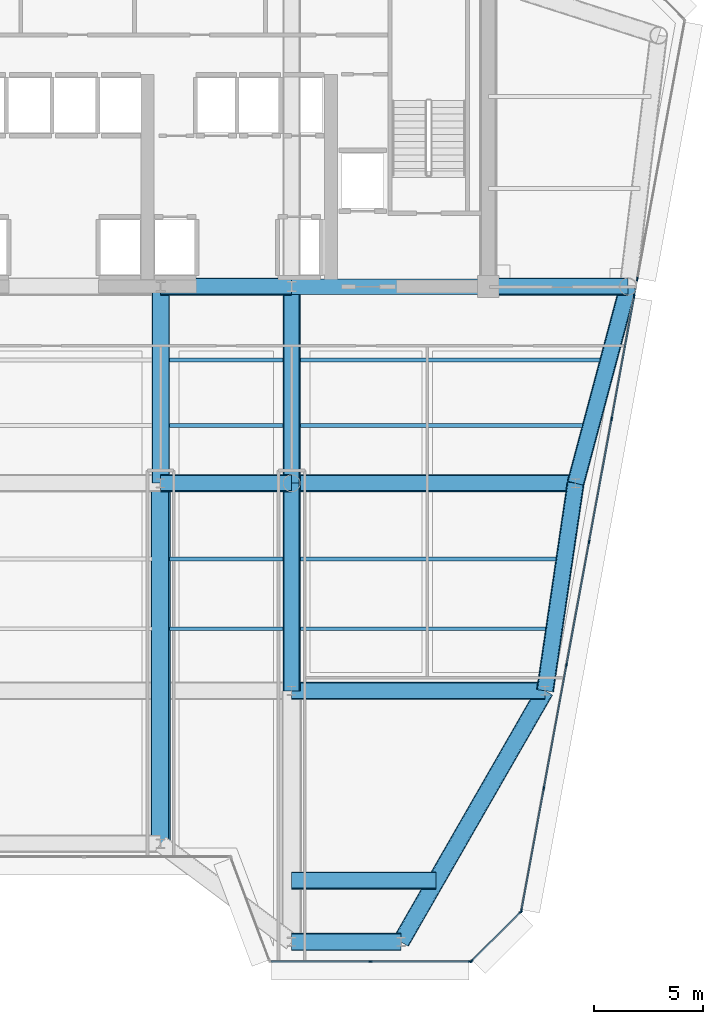
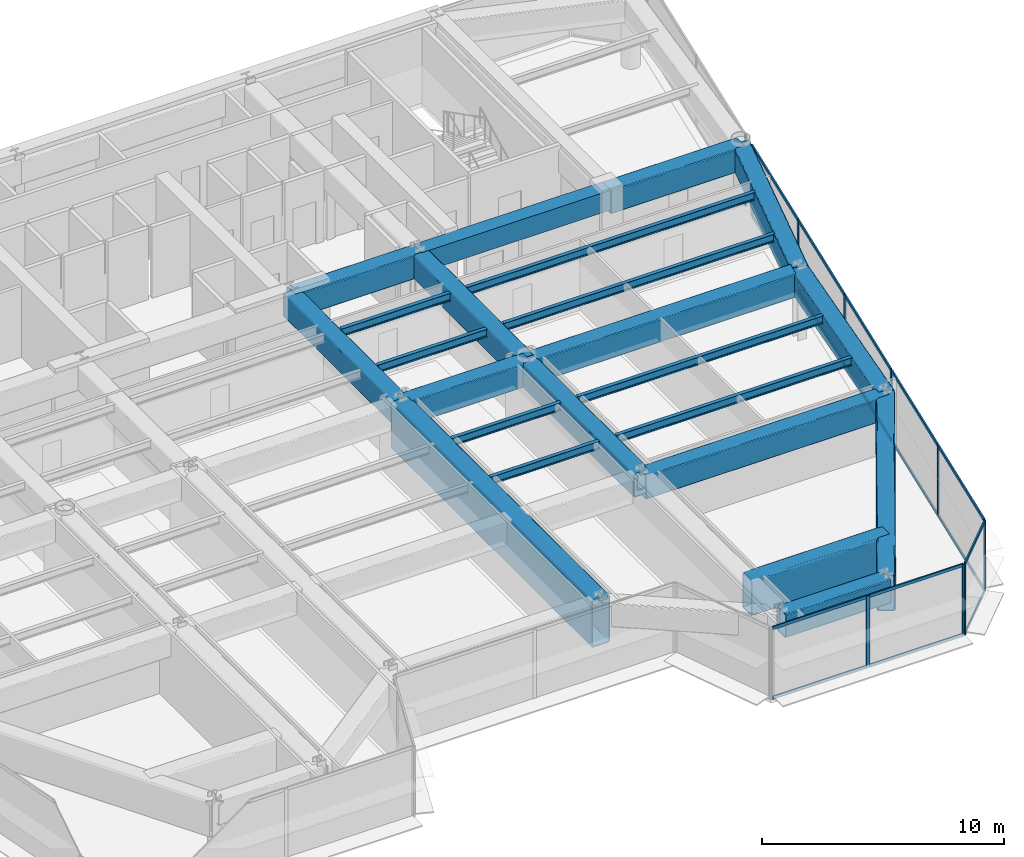
# One storey, part 6 of 16: 27 members, 23 beams, 4 elements without a shape of their own.
"""IFC4 building model written with IfcOpenShell, lengths in metres."""

from ifc_helpers import new_model, si_unit, direction, frame, origin, origin_2d, place, context, subcontext, project, spatial, rectangle, hollow_rectangle, i_section, extrude, source, transform, mapped, material, layer, layer_set, material_profile, profile_set, type_object, element, aggregate, save


model = new_model("IFC4")

# Units and contexts
model_context = context("Model", 3, precision=1e-05, world=origin(), true_north=direction((0.0, 1.0)))
body_context = subcontext(model_context, "Body", "Model", "MODEL_VIEW")
ifc_project = project(units=[si_unit("LENGTHUNIT", "METRE"), si_unit("AREAUNIT", "SQUARE_METRE"), si_unit("VOLUMEUNIT", "CUBIC_METRE"), si_unit("PLANEANGLEUNIT", "RADIAN"), si_unit("MASSUNIT", "GRAM", prefix="KILO")], contexts=[model_context])

# Site, building, storey
site_placement = place(None, origin())
site = spatial("IfcSite", under=ifc_project, at=site_placement, CompositionType="ELEMENT")
building_placement = place(site_placement, origin())
building = spatial("IfcBuilding", under=site, at=building_placement, Name="Vaeldorn Concourse Tower", CompositionType="ELEMENT")
storey_placement = place(building_placement, frame((0.0, 0.0, 203.199951171875)))
storey = spatial("IfcBuildingStorey", under=building, at=storey_placement, Name="L52", CompositionType="ELEMENT", Elevation=203.199951171875)

# Beams
ifc_material_1 = material(Name="Concrete C50/60", Category="concrete")
ifc_material_profile_1 = material_profile(ifc_material_1, rectangle(XDim=0.699951171875, YDim=1.0, at=origin_2d()), Name="RC 700x1000")
ifc_profile_set_1 = profile_set([ifc_material_profile_1], Name="Concrete C50/60")
beam_type_1 = type_object("IfcBeamType", Name="BM-CB-RC700", PredefinedType="BEAM", material=ifc_profile_set_1)
shared_shape_1 = source(origin(), body_context, "Body", "SweptSolid", [
    extrude(rectangle(XDim=0.699951171875, YDim=1.0, at=origin_2d()), origin(), (0.0, 0.0, 1.0), 9.0),
])
beam_1_placement = place(storey_placement, frame((45.0, 36.5, 3.080078125), z_axis=(1.0, 0.0, 0.0), x_axis=(0.0, 1.0, 0.0)))
element("IfcBeam", 1, at=beam_1_placement, inside=storey, type_object=beam_type_1, Name="Core Coupling Beam L52-2", PredefinedType="BEAM", context=body_context, shape_type="MappedRepresentation", body=[
    mapped(shared_shape_1, transform((0.0, 0.0, 0.0), scale=1.0)),
])
ifc_material_2 = material(Name="Steel S460", Category="steel")
ifc_material_profile_2 = material_profile(ifc_material_2, hollow_rectangle(XDim=0.800048828125, YDim=1.199951171875, WallThickness=0.044921875, InnerFilletRadius=0.044921875, OuterFilletRadius=0.090087890625, at=origin_2d()), Name="RHS 1200x800x45")
ifc_profile_set_2 = profile_set([ifc_material_profile_2], Name="Steel S460")
beam_type_2 = type_object("IfcBeamType", Name="BM-TG-RHS1200", PredefinedType="BEAM", material=ifc_profile_set_2)
shared_shape_2 = source(origin(), body_context, "Body", "SweptSolid", [
    extrude(hollow_rectangle(XDim=0.800048828125, YDim=1.199951171875, WallThickness=0.044921875, InnerFilletRadius=0.044921875, OuterFilletRadius=0.090087890625, at=origin_2d()), origin(), (0.0, 0.0, 1.0), 6.0),
])
for number, where, z_axis, x_axis, name in (
    (2, (39.0, 36.5, 2.97998046875), (1.0, 0.0, 0.0), (0.0, 1.0, 0.0), "Beam BM-L52-C-FC4-C-FC5"),
    (3, (39.0, 27.5, 2.97998046875), (1.0, 0.0, 0.0), (0.0, 1.0, 0.0), "Beam BM-L52-C-TW3-C-TW4"),
):
    element("IfcBeam", number, at=place(storey_placement, frame(where, z_axis=z_axis, x_axis=x_axis)), inside=storey, type_object=beam_type_2, Name=name, PredefinedType="BEAM", context=body_context, shape_type="MappedRepresentation", body=[
        mapped(shared_shape_2, transform((0.0, 0.0, 0.0), scale=1.0)),
    ])
shared_shape_3 = source(origin(), body_context, "Body", "SweptSolid", [
    extrude(hollow_rectangle(XDim=0.800048828125, YDim=1.199951171875, WallThickness=0.044921875, InnerFilletRadius=0.044921875, OuterFilletRadius=0.090087890625, at=origin_2d()), origin(), (0.0, 0.0, 1.0), 9.0),
])
for number, where, z_axis, x_axis, name in (
    (4, (39.0, 27.5, 2.97998046875), (0.0, 1.0, 0.0), (-1.0, 0.0, 0.0), "Beam BM-L52-C-TW3-C-FC4"),
    (5, (45.0, 27.5, 2.97998046875), (0.0, 1.0, 0.0), (-1.0, 0.0, 0.0), "Beam BM-L52-C-TW4-C-FC5"),
):
    element("IfcBeam", number, at=place(storey_placement, frame(where, z_axis=z_axis, x_axis=x_axis)), inside=storey, type_object=beam_type_2, Name=name, PredefinedType="BEAM", context=body_context, shape_type="MappedRepresentation", body=[
        mapped(shared_shape_3, transform((0.0, 0.0, 0.0), scale=1.0)),
    ])
shared_shape_4 = source(origin(), body_context, "Body", "SweptSolid", [
    extrude(hollow_rectangle(XDim=0.800048828125, YDim=1.199951171875, WallThickness=0.044921875, InnerFilletRadius=0.044921875, OuterFilletRadius=0.090087890625, at=origin_2d()), origin(), (0.0, 0.0, 1.0), 13.0),
])
beam_2_placement = place(storey_placement, frame((45.0, 27.5, 2.97998046875), z_axis=(1.0, 0.0, 0.0), x_axis=(0.0, 1.0, 0.0)))
element("IfcBeam", 6, at=beam_2_placement, inside=storey, type_object=beam_type_2, Name="Beam BM-L52-C-TW4-C-FLE1", PredefinedType="BEAM", context=body_context, shape_type="MappedRepresentation", body=[
    mapped(shared_shape_4, transform((0.0, 0.0, 0.0), scale=1.0)),
])
shared_shape_5 = source(origin(), body_context, "Body", "SweptSolid", [
    extrude(hollow_rectangle(XDim=0.800048828125, YDim=1.199951171875, WallThickness=0.044921875, InnerFilletRadius=0.044921875, OuterFilletRadius=0.090087890625, at=origin_2d()), origin(), (0.0, 0.0, 1.0), 11.60009765625),
])
beam_3_placement = place(storey_placement, frame((45.0, 18.0, 2.97998046875), z_axis=(1.0, 0.0, 0.0), x_axis=(0.0, 1.0, 0.0)))
element("IfcBeam", 7, at=beam_3_placement, inside=storey, type_object=beam_type_2, Name="Beam BM-L52-C-TW6-C-FLE2", PredefinedType="BEAM", context=body_context, shape_type="MappedRepresentation", body=[
    mapped(shared_shape_5, transform((0.0, 0.0, 0.0), scale=1.0)),
])
shared_shape_6 = source(origin(), body_context, "Body", "SweptSolid", [
    extrude(hollow_rectangle(XDim=0.800048828125, YDim=1.199951171875, WallThickness=0.044921875, InnerFilletRadius=0.044921875, OuterFilletRadius=0.090087890625, at=origin_2d()), origin(), (0.0, 0.0, 1.0), 5.0),
])
beam_4_placement = place(storey_placement, frame((45.0, 6.5, 2.97998046875), z_axis=(1.0, 0.0, 0.0), x_axis=(0.0, 1.0, 0.0)))
element("IfcBeam", 8, at=beam_4_placement, inside=storey, type_object=beam_type_2, Name="Beam BM-L52-C-SF5-C-SF6", PredefinedType="BEAM", context=body_context, shape_type="MappedRepresentation", body=[
    mapped(shared_shape_6, transform((0.0, 0.0, 0.0), scale=1.0)),
])
shared_shape_7 = source(origin(), body_context, "Body", "SweptSolid", [
    extrude(hollow_rectangle(XDim=0.800048828125, YDim=1.199951171875, WallThickness=0.044921875, InnerFilletRadius=0.044921875, OuterFilletRadius=0.090087890625, at=origin_2d()), origin(), (0.0, 0.0, 1.0), 6.39990234375),
])
beam_5_placement = place(storey_placement, frame((54.0, 36.5, 2.97998046875), z_axis=(1.0, 0.0, 0.0), x_axis=(0.0, 1.0, 0.0)))
element("IfcBeam", 9, at=beam_5_placement, inside=storey, type_object=beam_type_2, Name="Beam BM-L52-C-FC6-C-NE2", PredefinedType="BEAM", context=body_context, shape_type="MappedRepresentation", body=[
    mapped(shared_shape_7, transform((0.0, 0.0, 0.0), scale=1.0)),
])
shared_shape_8 = source(origin(), body_context, "Body", "SweptSolid", [
    extrude(hollow_rectangle(XDim=0.800048828125, YDim=1.199951171875, WallThickness=0.044921875, InnerFilletRadius=0.044921875, OuterFilletRadius=0.090087890625, at=origin_2d()), origin(), (0.0, 0.0, 1.0), 9.314453125),
])
beam_6_placement = place(storey_placement, frame((60.39990234375, 36.5, 2.97998046875), z_axis=(-0.257652862255, -0.966237549763, 0.0), x_axis=(0.966237549763, -0.257652862255, 0.0)))
element("IfcBeam", 10, at=beam_6_placement, inside=storey, type_object=beam_type_2, Name="Beam BM-L52-C-NE2-C-FLE1", PredefinedType="BEAM", context=body_context, shape_type="MappedRepresentation", body=[
    mapped(shared_shape_8, transform((0.0, 0.0, 0.0), scale=1.0)),
])
shared_shape_9 = source(origin(), body_context, "Body", "SweptSolid", [
    extrude(hollow_rectangle(XDim=0.800048828125, YDim=1.199951171875, WallThickness=0.044921875, InnerFilletRadius=0.044921875, OuterFilletRadius=0.090087890625, at=origin_2d()), origin(), (0.0, 0.0, 1.0), 9.6025390625),
])
beam_7_placement = place(storey_placement, frame((58.0, 27.5, 2.97998046875), z_axis=(-0.145783835977, -0.989316467652, 0.0), x_axis=(0.989316467652, -0.145783835977, 0.0)))
element("IfcBeam", 11, at=beam_7_placement, inside=storey, type_object=beam_type_2, Name="Beam BM-L52-C-FLE1-C-FLE2", PredefinedType="BEAM", context=body_context, shape_type="MappedRepresentation", body=[
    mapped(shared_shape_9, transform((0.0, 0.0, 0.0), scale=1.0)),
])
shared_shape_10 = source(origin(), body_context, "Body", "SweptSolid", [
    extrude(hollow_rectangle(XDim=0.800048828125, YDim=1.199951171875, WallThickness=0.044921875, InnerFilletRadius=0.044921875, OuterFilletRadius=0.090087890625, at=origin_2d()), origin(), (0.0, 0.0, 1.0), 9.5),
])
beam_8_placement = place(storey_placement, frame((45.0, 18.0, 2.97998046875), z_axis=(0.0, 1.0, 0.0), x_axis=(-1.0, 0.0, 0.0)))
element("IfcBeam", 12, at=beam_8_placement, inside=storey, type_object=beam_type_2, Name="Beam BM-L52-C-TW6-C-TW4", PredefinedType="BEAM", context=body_context, shape_type="MappedRepresentation", body=[
    mapped(shared_shape_10, transform((0.0, 0.0, 0.0), scale=1.0)),
])
ifc_material_profile_3 = material_profile(ifc_material_2, hollow_rectangle(XDim=0.89990234375, YDim=2.39990234375, WallThickness=0.06005859375, InnerFilletRadius=0.06005859375, OuterFilletRadius=0.1201171875, at=origin_2d()), Name="RHS 2400x900x60")
ifc_profile_set_3 = profile_set([ifc_material_profile_3], Name="Steel S460")
beam_type_3 = type_object("IfcBeamType", Name="BM-TG-BOX2400", PredefinedType="BEAM", material=ifc_profile_set_3)
shared_shape_11 = source(origin(), body_context, "Body", "SweptSolid", [
    extrude(hollow_rectangle(XDim=0.89990234375, YDim=2.39990234375, WallThickness=0.06005859375, InnerFilletRadius=0.06005859375, OuterFilletRadius=0.1201171875, at=origin_2d()), origin(), (0.0, 0.0, 1.0), 16.5),
])
beam_9_placement = place(storey_placement, frame((39.0, 11.0, 2.380126953125), z_axis=(0.0, 1.0, 0.0), x_axis=(-1.0, 0.0, 0.0)))
element("IfcBeam", 13, at=beam_9_placement, inside=storey, type_object=beam_type_3, Name="Beam BM-SETBACK-L52-C-SF4", PredefinedType="BEAM", context=body_context, shape_type="MappedRepresentation", body=[
    mapped(shared_shape_11, transform((0.0, 0.0, 0.0), scale=1.0)),
])
ifc_material_profile_4 = material_profile(ifc_material_2, hollow_rectangle(XDim=0.800048828125, YDim=1.800048828125, WallThickness=0.050048828125, InnerFilletRadius=0.050048828125, OuterFilletRadius=0.10009765625, at=origin_2d()), Name="RHS 1800x800x50")
ifc_profile_set_4 = profile_set([ifc_material_profile_4], Name="Steel S460")
beam_type_4 = type_object("IfcBeamType", Name="BM-TG-BOX1800", PredefinedType="BEAM", material=ifc_profile_set_4)
shared_shape_12 = source(origin(), body_context, "Body", "SweptSolid", [
    extrude(hollow_rectangle(XDim=0.800048828125, YDim=1.800048828125, WallThickness=0.050048828125, InnerFilletRadius=0.050048828125, OuterFilletRadius=0.10009765625, at=origin_2d()), origin(), (0.0, 0.0, 1.0), 13.25927734375),
])
beam_10_placement = place(storey_placement, frame((50.0, 6.5, 2.679931640625), z_axis=(0.497768009943, 0.867310214558, 0.0), x_axis=(-0.867310214558, 0.497768009943, 0.0)))
element("IfcBeam", 14, at=beam_10_placement, inside=storey, type_object=beam_type_4, Name="Beam BM-SETBACK-FL-L52-C-SF6", PredefinedType="BEAM", context=body_context, shape_type="MappedRepresentation", body=[
    mapped(shared_shape_12, transform((0.0, 0.0, 0.0), scale=1.0)),
])
shared_shape_13 = source(origin(), body_context, "Body", "SweptSolid", [
    extrude(hollow_rectangle(XDim=0.800048828125, YDim=1.800048828125, WallThickness=0.050048828125, InnerFilletRadius=0.050048828125, OuterFilletRadius=0.10009765625, at=origin_2d()), origin(), (0.0, 0.0, 1.0), 6.60693359375),
])
beam_11_placement = place(storey_placement, frame((51.60693359375, 9.300048828125, 2.679931640625), z_axis=(-1.0, 0.0, 0.0), x_axis=(0.0, -1.0, 0.0)))
element("IfcBeam", 15, at=beam_11_placement, inside=storey, type_object=beam_type_4, Name="Beam BM-SETBACK-EW-L52-C-SF6", PredefinedType="BEAM", context=body_context, shape_type="MappedRepresentation", body=[
    mapped(shared_shape_13, transform((0.0, 0.0, 0.0), scale=1.0)),
])
ifc_material_3 = material(Name="Steel S355", Category="steel")
ifc_material_profile_5 = material_profile(ifc_material_3, i_section(OverallWidth=0.179931640625, OverallDepth=0.39990234375, WebThickness=0.008544921875, FlangeThickness=0.013427734375, FilletRadius=0.02099609375, at=origin_2d()), Name="IPE 400")
ifc_profile_set_5 = profile_set([ifc_material_profile_5], Name="Steel S355")
beam_type_5 = type_object("IfcBeamType", Name="BM-JS-IPE400", PredefinedType="JOIST", material=ifc_profile_set_5)
shared_shape_14 = source(origin(), body_context, "Body", "SweptSolid", [
    extrude(i_section(OverallWidth=0.179931640625, OverallDepth=0.39990234375, WebThickness=0.008544921875, FlangeThickness=0.013427734375, FilletRadius=0.02099609375, at=origin_2d()), origin(), (0.0, 0.0, 1.0), 11.218505859375),
])
beam_12_placement = place(storey_placement, frame((45.39990234375, 20.840087890625, 3.380126953125), z_axis=(1.0, 0.0, 0.0), x_axis=(0.0, 1.0, 0.0)))
element("IfcBeam", 16, at=beam_12_placement, inside=storey, type_object=beam_type_5, Name="Beam JS-L52-E1-208", PredefinedType="JOIST", context=body_context, shape_type="MappedRepresentation", body=[
    mapped(shared_shape_14, transform((0.0, 0.0, 0.0), scale=1.0)),
])
shared_shape_15 = source(origin(), body_context, "Body", "SweptSolid", [
    extrude(i_section(OverallWidth=0.179931640625, OverallDepth=0.39990234375, WebThickness=0.008544921875, FlangeThickness=0.013427734375, FilletRadius=0.02099609375, at=origin_2d()), origin(), (0.0, 0.0, 1.0), 5.2001953125),
])
for number, where, z_axis, x_axis, name in (
    (17, (39.39990234375, 20.840087890625, 3.380126953125), (1.0, 0.0, 0.0), (0.0, 1.0, 0.0), "Beam JS-L52-E2-208"),
    (18, (39.39990234375, 24.0400390625, 3.380126953125), (1.0, 0.0, 0.0), (0.0, 1.0, 0.0), "Beam JS-L52-E2-240"),
    (19, (39.39990234375, 30.139892578125, 3.380126953125), (1.0, 0.0, 0.0), (0.0, 1.0, 0.0), "Beam JS-L52-E2-301"),
    (20, (39.39990234375, 33.139892578125, 3.380126953125), (1.0, 0.0, 0.0), (0.0, 1.0, 0.0), "Beam JS-L52-E2-331"),
):
    element("IfcBeam", number, at=place(storey_placement, frame(where, z_axis=z_axis, x_axis=x_axis)), inside=storey, type_object=beam_type_5, Name=name, PredefinedType="JOIST", context=body_context, shape_type="MappedRepresentation", body=[
        mapped(shared_shape_15, transform((0.0, 0.0, 0.0), scale=1.0)),
    ])
shared_shape_16 = source(origin(), body_context, "Body", "SweptSolid", [
    extrude(i_section(OverallWidth=0.179931640625, OverallDepth=0.39990234375, WebThickness=0.008544921875, FlangeThickness=0.013427734375, FilletRadius=0.02099609375, at=origin_2d()), origin(), (0.0, 0.0, 1.0), 11.690185546875),
])
beam_13_placement = place(storey_placement, frame((45.39990234375, 24.0400390625, 3.380126953125), z_axis=(1.0, 0.0, 0.0), x_axis=(0.0, 1.0, 0.0)))
element("IfcBeam", 21, at=beam_13_placement, inside=storey, type_object=beam_type_5, Name="Beam JS-L52-E1-240", PredefinedType="JOIST", context=body_context, shape_type="MappedRepresentation", body=[
    mapped(shared_shape_16, transform((0.0, 0.0, 0.0), scale=1.0)),
])
shared_shape_17 = source(origin(), body_context, "Body", "SweptSolid", [
    extrude(i_section(OverallWidth=0.179931640625, OverallDepth=0.39990234375, WebThickness=0.008544921875, FlangeThickness=0.013427734375, FilletRadius=0.02099609375, at=origin_2d()), origin(), (0.0, 0.0, 1.0), 12.904052734375),
])
beam_14_placement = place(storey_placement, frame((45.39990234375, 30.139892578125, 3.380126953125), z_axis=(1.0, 0.0, 0.0), x_axis=(0.0, 1.0, 0.0)))
element("IfcBeam", 22, at=beam_14_placement, inside=storey, type_object=beam_type_5, Name="Beam JS-L52-E1-301", PredefinedType="JOIST", context=body_context, shape_type="MappedRepresentation", body=[
    mapped(shared_shape_17, transform((0.0, 0.0, 0.0), scale=1.0)),
])
shared_shape_18 = source(origin(), body_context, "Body", "SweptSolid", [
    extrude(i_section(OverallWidth=0.179931640625, OverallDepth=0.39990234375, WebThickness=0.008544921875, FlangeThickness=0.013427734375, FilletRadius=0.02099609375, at=origin_2d()), origin(), (0.0, 0.0, 1.0), 13.7041015625),
])
beam_15_placement = place(storey_placement, frame((45.39990234375, 33.139892578125, 3.380126953125), z_axis=(1.0, 0.0, 0.0), x_axis=(0.0, 1.0, 0.0)))
element("IfcBeam", 23, at=beam_15_placement, inside=storey, type_object=beam_type_5, Name="Beam JS-L52-E1-331", PredefinedType="JOIST", context=body_context, shape_type="MappedRepresentation", body=[
    mapped(shared_shape_18, transform((0.0, 0.0, 0.0), scale=1.0)),
])

# Curtain wall, members
ifc_material_4 = material(Name="Anodised Bronze Aluminium", Category="aluminium")
ifc_layer = layer(ifc_material_4, 0.18994140625)
ifc_layer_set = layer_set([ifc_layer], Name="Anodised Bronze Aluminium")
curtain_wall_type = type_object("IfcCurtainWallType", Name="CW-SYS-03", PredefinedType="NOTDEFINED", material=ifc_layer_set)
curtain_wall_1_placement = place(storey_placement, origin())
curtain_wall_1 = element("IfcCurtainWall", 24, at=curtain_wall_1_placement, inside=storey, type_object=curtain_wall_type, Name="Unitised Curtain Wall CW-L52-E05-1", PredefinedType="NOTDEFINED")
ifc_material_profile_6 = material_profile(ifc_material_4, rectangle(XDim=0.06494140625, YDim=0.169921875, at=origin_2d()), Name="CWM 65x170")
ifc_profile_set_6 = profile_set([ifc_material_profile_6], Name="Anodised Bronze Aluminium")
member_type_1 = type_object("IfcMemberType", Name="CWM-BRONZE-170", PredefinedType="MULLION", material=ifc_profile_set_6)
shared_shape_19 = source(origin(), body_context, "Body", "SweptSolid", [
    extrude(rectangle(XDim=0.06494140625, YDim=0.169921875, at=origin_2d()), origin(), (0.0, 0.0, 1.0), 3.580078125),
])
member_1_placement = place(storey_placement, frame((48.6044921875, 5.60009765625, 0.0), z_axis=(0.0, 0.0, 1.0), x_axis=(0.0, 1.0, 0.0)))
member_1 = element("IfcMember", 25, at=member_1_placement, type_object=member_type_1, Name="CW-03 mullion 2", PredefinedType="MULLION", context=body_context, shape_type="MappedRepresentation", body=[
    mapped(shared_shape_19, transform((0.0, 0.0, 0.0), scale=1.0)),
])
member_2_placement = place(storey_placement, frame((53.176513671875, 5.60009765625, 0.0), z_axis=(0.0, 0.0, 1.0), x_axis=(0.0, 1.0, 0.0)))
member_2 = element("IfcMember", 26, at=member_2_placement, type_object=member_type_1, Name="CW-03 mullion 3", PredefinedType="MULLION", context=body_context, shape_type="MappedRepresentation", body=[
    mapped(shared_shape_19, transform((0.0, 0.0, 0.0), scale=1.0)),
])

curtain_wall_2_placement = place(storey_placement, origin())
curtain_wall_2 = element("IfcCurtainWall", 27, at=curtain_wall_2_placement, inside=storey, type_object=curtain_wall_type, Name="Unitised Curtain Wall CW-L52-E06-1", PredefinedType="NOTDEFINED")
member_3_placement = place(storey_placement, frame((53.23193359375, 5.623046875, 0.0), z_axis=(0.0, 0.0, 1.0), x_axis=(-0.707106781187, 0.707106781187, 0.0)))
member_3 = element("IfcMember", 28, at=member_3_placement, type_object=member_type_1, Name="CW-03 mullion 1", PredefinedType="MULLION", context=body_context, shape_type="MappedRepresentation", body=[
    mapped(shared_shape_19, transform((0.0, 0.0, 0.0), scale=1.0)),
])
member_4_placement = place(storey_placement, frame((55.486083984375, 7.876953125, 0.0), z_axis=(0.0, 0.0, 1.0), x_axis=(-0.707106781187, 0.707106781187, 0.0)))
member_4 = element("IfcMember", 29, at=member_4_placement, type_object=member_type_1, Name="CW-03 mullion 2", PredefinedType="MULLION", context=body_context, shape_type="MappedRepresentation", body=[
    mapped(shared_shape_19, transform((0.0, 0.0, 0.0), scale=1.0)),
])

curtain_wall_3_placement = place(storey_placement, origin())
curtain_wall_3 = element("IfcCurtainWall", 30, at=curtain_wall_3_placement, inside=storey, type_object=curtain_wall_type, Name="Unitised Curtain Wall CW-L52-E07-1", PredefinedType="NOTDEFINED")
member_5_placement = place(storey_placement, frame((55.514892578125, 7.931884765625, 0.0), z_axis=(0.0, 0.0, 1.0), x_axis=(-0.983559325018, 0.180585309951, 0.0)))
member_5 = element("IfcMember", 31, at=member_5_placement, type_object=member_type_1, Name="CW-03 mullion 1", PredefinedType="MULLION", context=body_context, shape_type="MappedRepresentation", body=[
    mapped(shared_shape_19, transform((0.0, 0.0, 0.0), scale=1.0)),
])
member_6_placement = place(storey_placement, frame((56.5439453125, 13.53662109375, 0.0), z_axis=(0.0, 0.0, 1.0), x_axis=(-0.983559325018, 0.180585309951, 0.0)))
member_6 = element("IfcMember", 32, at=member_6_placement, type_object=member_type_1, Name="CW-03 mullion 2", PredefinedType="MULLION", context=body_context, shape_type="MappedRepresentation", body=[
    mapped(shared_shape_19, transform((0.0, 0.0, 0.0), scale=1.0)),
])
member_7_placement = place(storey_placement, frame((57.578857421875, 19.17333984375, 0.0), z_axis=(0.0, 0.0, 1.0), x_axis=(-0.983559325018, 0.180585309951, 0.0)))
member_7 = element("IfcMember", 33, at=member_7_placement, type_object=member_type_1, Name="CW-03 mullion 3", PredefinedType="MULLION", context=body_context, shape_type="MappedRepresentation", body=[
    mapped(shared_shape_19, transform((0.0, 0.0, 0.0), scale=1.0)),
])
member_8_placement = place(storey_placement, frame((58.61376953125, 24.81005859375, 0.0), z_axis=(0.0, 0.0, 1.0), x_axis=(-0.983559325018, 0.180585309951, 0.0)))
member_8 = element("IfcMember", 34, at=member_8_placement, type_object=member_type_1, Name="CW-03 mullion 4", PredefinedType="MULLION", context=body_context, shape_type="MappedRepresentation", body=[
    mapped(shared_shape_19, transform((0.0, 0.0, 0.0), scale=1.0)),
])
member_9_placement = place(storey_placement, frame((59.648681640625, 30.44677734375, 0.0), z_axis=(0.0, 0.0, 1.0), x_axis=(-0.983559325018, 0.180585309951, 0.0)))
member_9 = element("IfcMember", 35, at=member_9_placement, type_object=member_type_1, Name="CW-03 mullion 5", PredefinedType="MULLION", context=body_context, shape_type="MappedRepresentation", body=[
    mapped(shared_shape_19, transform((0.0, 0.0, 0.0), scale=1.0)),
])
member_10_placement = place(storey_placement, frame((60.677734375, 36.051513671875, 0.0), z_axis=(0.0, 0.0, 1.0), x_axis=(-0.983559325018, 0.180585309951, 0.0)))
member_10 = element("IfcMember", 36, at=member_10_placement, type_object=member_type_1, Name="CW-03 mullion 6", PredefinedType="MULLION", context=body_context, shape_type="MappedRepresentation", body=[
    mapped(shared_shape_19, transform((0.0, 0.0, 0.0), scale=1.0)),
])

# Curtain wall, member
curtain_wall_4_placement = place(storey_placement, origin())
curtain_wall_4 = element("IfcCurtainWall", 37, at=curtain_wall_4_placement, inside=storey, type_object=curtain_wall_type, Name="Unitised Curtain Wall CW-L52-E07-2", PredefinedType="NOTDEFINED")
member_11_placement = place(storey_placement, frame((60.822265625, 36.83935546875, 0.0), z_axis=(0.0, 0.0, 1.0), x_axis=(-0.983559459619, 0.180584576845, 0.0)))
member_11 = element("IfcMember", 38, at=member_11_placement, type_object=member_type_1, Name="CW-03 mullion 1", PredefinedType="MULLION", context=body_context, shape_type="MappedRepresentation", body=[
    mapped(shared_shape_19, transform((0.0, 0.0, 0.0), scale=1.0)),
])
aggregate(curtain_wall_4, [member_11])

# Member
ifc_material_profile_7 = material_profile(ifc_material_4, rectangle(XDim=0.06494140625, YDim=0.14990234375, at=origin_2d()), Name="CWT 65x150")
ifc_profile_set_7 = profile_set([ifc_material_profile_7], Name="Anodised Bronze Aluminium")
member_type_2 = type_object("IfcMemberType", Name="CWT-BRONZE-150", PredefinedType="USERDEFINED", material=ifc_profile_set_7)
shared_shape_20 = source(origin(), body_context, "Body", "SweptSolid", [
    extrude(rectangle(XDim=0.06494140625, YDim=0.14990234375, at=origin_2d()), origin(), (0.0, 0.0, 1.0), 3.122802734375),
])
member_12_placement = place(storey_placement, frame((53.2548828125, 5.64599609375, 0.032470703125), z_axis=(0.707145870536, 0.707067689676, 0.0), x_axis=(-0.707067689676, 0.707145870536, 0.0)))
member_12 = element("IfcMember", 39, at=member_12_placement, type_object=member_type_2, Name="CW-03 transom 1.1", ObjectType="TRANSOM", PredefinedType="USERDEFINED", context=body_context, shape_type="MappedRepresentation", body=[
    mapped(shared_shape_20, transform((0.0, 0.0, 0.0), scale=1.0)),
])

member_13_placement = place(storey_placement, frame((53.2548828125, 5.64599609375, 3.547607421875), z_axis=(0.707145870536, 0.707067689676, 0.0), x_axis=(-0.707067689676, 0.707145870536, 0.0)))
member_13 = element("IfcMember", 40, at=member_13_placement, type_object=member_type_2, Name="CW-03 transom 1.2", ObjectType="TRANSOM", PredefinedType="USERDEFINED", context=body_context, shape_type="MappedRepresentation", body=[
    mapped(shared_shape_20, transform((0.0, 0.0, 0.0), scale=1.0)),
])

aggregate(curtain_wall_2, [member_3, member_4, member_12, member_13])

shared_shape_21 = source(origin(), body_context, "Body", "SweptSolid", [
    extrude(rectangle(XDim=0.06494140625, YDim=0.14990234375, at=origin_2d()), origin(), (0.0, 0.0, 1.0), 5.63330078125),
])
member_14_placement = place(storey_placement, frame((55.520751953125, 7.9638671875, 0.032470703125), z_axis=(0.180589917692, 0.983558479008, 0.0), x_axis=(-0.983558479008, 0.180589917692, 0.0)))
member_14 = element("IfcMember", 41, at=member_14_placement, type_object=member_type_2, Name="CW-03 transom 1.1", ObjectType="TRANSOM", PredefinedType="USERDEFINED", context=body_context, shape_type="MappedRepresentation", body=[
    mapped(shared_shape_21, transform((0.0, 0.0, 0.0), scale=1.0)),
])

member_15_placement = place(storey_placement, frame((55.520751953125, 7.9638671875, 3.547607421875), z_axis=(0.180589917692, 0.983558479008, 0.0), x_axis=(-0.983558479008, 0.180589917692, 0.0)))
member_15 = element("IfcMember", 42, at=member_15_placement, type_object=member_type_2, Name="CW-03 transom 1.2", ObjectType="TRANSOM", PredefinedType="USERDEFINED", context=body_context, shape_type="MappedRepresentation", body=[
    mapped(shared_shape_21, transform((0.0, 0.0, 0.0), scale=1.0)),
])

member_16_placement = place(storey_placement, frame((59.654541015625, 30.478759765625, 0.032470703125), z_axis=(0.180589917692, 0.983558479008, 0.0), x_axis=(-0.983558479008, 0.180589917692, 0.0)))
member_16 = element("IfcMember", 43, at=member_16_placement, type_object=member_type_2, Name="CW-03 transom 5.1", ObjectType="TRANSOM", PredefinedType="USERDEFINED", context=body_context, shape_type="MappedRepresentation", body=[
    mapped(shared_shape_21, transform((0.0, 0.0, 0.0), scale=1.0)),
])

member_17_placement = place(storey_placement, frame((59.654541015625, 30.478759765625, 3.547607421875), z_axis=(0.180589917692, 0.983558479008, 0.0), x_axis=(-0.983558479008, 0.180589917692, 0.0)))
member_17 = element("IfcMember", 44, at=member_17_placement, type_object=member_type_2, Name="CW-03 transom 5.2", ObjectType="TRANSOM", PredefinedType="USERDEFINED", context=body_context, shape_type="MappedRepresentation", body=[
    mapped(shared_shape_21, transform((0.0, 0.0, 0.0), scale=1.0)),
])

shared_shape_22 = source(origin(), body_context, "Body", "SweptSolid", [
    extrude(rectangle(XDim=0.06494140625, YDim=0.14990234375, at=origin_2d()), origin(), (0.0, 0.0, 1.0), 5.666015625),
])
member_18_placement = place(storey_placement, frame((56.5498046875, 13.568603515625, 0.032470703125), z_axis=(0.180587719149, 0.983558882677, 0.0), x_axis=(-0.983558882677, 0.180587719149, 0.0)))
member_18 = element("IfcMember", 45, at=member_18_placement, type_object=member_type_2, Name="CW-03 transom 2.1", ObjectType="TRANSOM", PredefinedType="USERDEFINED", context=body_context, shape_type="MappedRepresentation", body=[
    mapped(shared_shape_22, transform((0.0, 0.0, 0.0), scale=1.0)),
])

member_19_placement = place(storey_placement, frame((56.5498046875, 13.568603515625, 3.547607421875), z_axis=(0.180587719149, 0.983558882677, 0.0), x_axis=(-0.983558882677, 0.180587719149, 0.0)))
member_19 = element("IfcMember", 46, at=member_19_placement, type_object=member_type_2, Name="CW-03 transom 2.2", ObjectType="TRANSOM", PredefinedType="USERDEFINED", context=body_context, shape_type="MappedRepresentation", body=[
    mapped(shared_shape_22, transform((0.0, 0.0, 0.0), scale=1.0)),
])

member_20_placement = place(storey_placement, frame((57.584716796875, 19.205322265625, 0.032470703125), z_axis=(0.180587719149, 0.983558882677, 0.0), x_axis=(-0.983558882677, 0.180587719149, 0.0)))
member_20 = element("IfcMember", 47, at=member_20_placement, type_object=member_type_2, Name="CW-03 transom 3.1", ObjectType="TRANSOM", PredefinedType="USERDEFINED", context=body_context, shape_type="MappedRepresentation", body=[
    mapped(shared_shape_22, transform((0.0, 0.0, 0.0), scale=1.0)),
])

member_21_placement = place(storey_placement, frame((57.584716796875, 19.205322265625, 3.547607421875), z_axis=(0.180587719149, 0.983558882677, 0.0), x_axis=(-0.983558882677, 0.180587719149, 0.0)))
member_21 = element("IfcMember", 48, at=member_21_placement, type_object=member_type_2, Name="CW-03 transom 3.2", ObjectType="TRANSOM", PredefinedType="USERDEFINED", context=body_context, shape_type="MappedRepresentation", body=[
    mapped(shared_shape_22, transform((0.0, 0.0, 0.0), scale=1.0)),
])

member_22_placement = place(storey_placement, frame((58.61962890625, 24.842041015625, 0.032470703125), z_axis=(0.180587719149, 0.983558882677, 0.0), x_axis=(-0.983558882677, 0.180587719149, 0.0)))
member_22 = element("IfcMember", 49, at=member_22_placement, type_object=member_type_2, Name="CW-03 transom 4.1", ObjectType="TRANSOM", PredefinedType="USERDEFINED", context=body_context, shape_type="MappedRepresentation", body=[
    mapped(shared_shape_22, transform((0.0, 0.0, 0.0), scale=1.0)),
])

member_23_placement = place(storey_placement, frame((58.61962890625, 24.842041015625, 3.547607421875), z_axis=(0.180587719149, 0.983558882677, 0.0), x_axis=(-0.983558882677, 0.180587719149, 0.0)))
member_23 = element("IfcMember", 50, at=member_23_placement, type_object=member_type_2, Name="CW-03 transom 4.2", ObjectType="TRANSOM", PredefinedType="USERDEFINED", context=body_context, shape_type="MappedRepresentation", body=[
    mapped(shared_shape_22, transform((0.0, 0.0, 0.0), scale=1.0)),
])

aggregate(curtain_wall_3, [member_5, member_6, member_7, member_8, member_9, member_10, member_14, member_15, member_18, member_19, member_20, member_21, member_22, member_23, member_16, member_17])

shared_shape_23 = source(origin(), body_context, "Body", "SweptSolid", [
    extrude(rectangle(XDim=0.06494140625, YDim=0.14990234375, at=origin_2d()), origin(), (0.0, 0.0, 1.0), 4.507080078125),
])
member_24_placement = place(storey_placement, frame((44.06494140625, 5.60009765625, 0.032470703125), z_axis=(1.0, 0.0, 0.0), x_axis=(0.0, 1.0, 0.0)))
member_24 = element("IfcMember", 51, at=member_24_placement, type_object=member_type_2, Name="CW-03 transom 1.1", ObjectType="TRANSOM", PredefinedType="USERDEFINED", context=body_context, shape_type="MappedRepresentation", body=[
    mapped(shared_shape_23, transform((0.0, 0.0, 0.0), scale=1.0)),
])

member_25_placement = place(storey_placement, frame((44.06494140625, 5.60009765625, 3.547607421875), z_axis=(1.0, 0.0, 0.0), x_axis=(0.0, 1.0, 0.0)))
member_25 = element("IfcMember", 52, at=member_25_placement, type_object=member_type_2, Name="CW-03 transom 1.2", ObjectType="TRANSOM", PredefinedType="USERDEFINED", context=body_context, shape_type="MappedRepresentation", body=[
    mapped(shared_shape_23, transform((0.0, 0.0, 0.0), scale=1.0)),
])

member_26_placement = place(storey_placement, frame((48.636962890625, 5.60009765625, 0.032470703125), z_axis=(1.0, 0.0, 0.0), x_axis=(0.0, 1.0, 0.0)))
member_26 = element("IfcMember", 53, at=member_26_placement, type_object=member_type_2, Name="CW-03 transom 2.1", ObjectType="TRANSOM", PredefinedType="USERDEFINED", context=body_context, shape_type="MappedRepresentation", body=[
    mapped(shared_shape_23, transform((0.0, 0.0, 0.0), scale=1.0)),
])

member_27_placement = place(storey_placement, frame((48.636962890625, 5.60009765625, 3.547607421875), z_axis=(1.0, 0.0, 0.0), x_axis=(0.0, 1.0, 0.0)))
member_27 = element("IfcMember", 54, at=member_27_placement, type_object=member_type_2, Name="CW-03 transom 2.2", ObjectType="TRANSOM", PredefinedType="USERDEFINED", context=body_context, shape_type="MappedRepresentation", body=[
    mapped(shared_shape_23, transform((0.0, 0.0, 0.0), scale=1.0)),
])

aggregate(curtain_wall_1, [member_1, member_2, member_24, member_25, member_26, member_27])

save(model, "model.ifc")
